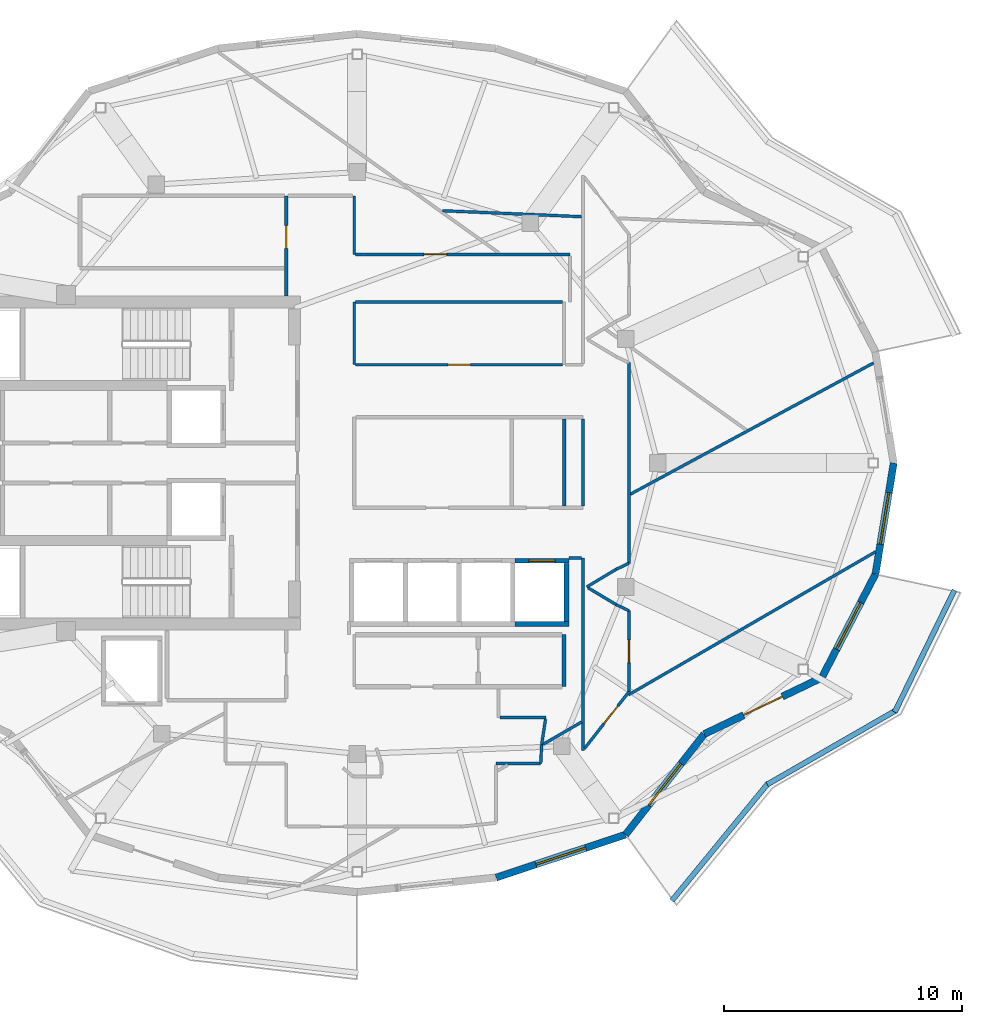
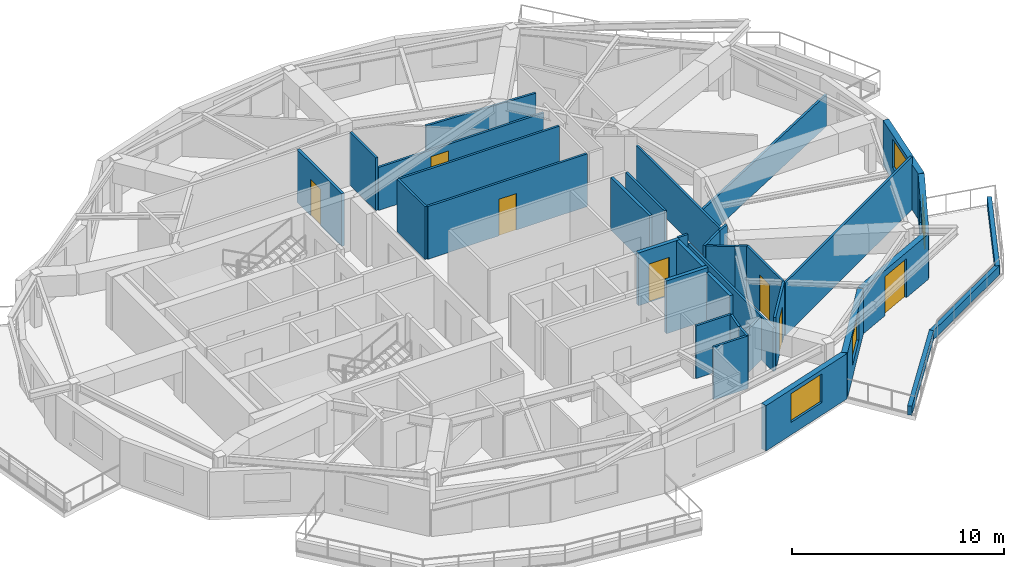
# One storey, part 6 of 11: 37 walls, 7 doors, 4 windows, 11 openings.
"""IFC4 building model written with IfcOpenShell, lengths in metres."""

from ifc_helpers import new_model, si_unit, direction, frame, frame_2d, origin, place, context, subcontext, project, spatial, rectangle, extrude, material, layer, layer_set, type_object, element, fill, save


model = new_model("IFC4")

# Units and contexts
model_context = context("Model", 3, precision=1e-05, world=origin(), true_north=direction((0.0, 1.0)))
body_context = subcontext(model_context, "Body", "Model", "MODEL_VIEW")
ifc_project = project(units=[si_unit("LENGTHUNIT", "METRE"), si_unit("AREAUNIT", "SQUARE_METRE"), si_unit("VOLUMEUNIT", "CUBIC_METRE"), si_unit("PLANEANGLEUNIT", "RADIAN"), si_unit("MASSUNIT", "GRAM", prefix="KILO")], contexts=[model_context])

# Site, building, storey
site_placement = place(None, origin())
site = spatial("IfcSite", under=ifc_project, at=site_placement, CompositionType="ELEMENT")
building_placement = place(site_placement, origin())
building = spatial("IfcBuilding", under=site, at=building_placement, Name="Kolvaren Gate Tower and Convention Centre", CompositionType="ELEMENT")
storey_placement = place(building_placement, frame((0.0, 0.0, 255.800048828125)))
storey = spatial("IfcBuildingStorey", under=building, at=storey_placement, Name="L69", CompositionType="ELEMENT", Elevation=255.800048828125)

# Walls
ifc_material_1 = material(Name="Autoclaved Aerated Masonry Blockwork Class 4 (4.0 MPa)", Category="masonry")
ifc_layer_1 = layer(ifc_material_1, 0.179931640625)
ifc_layer_set_1 = layer_set([ifc_layer_1], Name="Autoclaved Aerated Masonry Blockwork Class 4 (4.0 MPa)")
wall_type_1 = type_object("IfcWallType", Name="ARCH-WL-COMP-180", PredefinedType="SOLIDWALL", material=ifc_layer_set_1)
wall_1_placement = place(storey_placement, frame((38.800048828125, 17.6201171875, 0.0), z_axis=(0.0, 0.0, 1.0), x_axis=(0.0, 1.0, 0.0)))
element("IfcWall", 1, at=wall_1_placement, inside=storey, type_object=wall_type_1, Name="Interior Partition WL-L69-INT-021", PredefinedType="SOLIDWALL", context=body_context, shape_type="SweptSolid", body=[
    extrude(rectangle(XDim=2.179931640625, YDim=0.179931640625, at=frame_2d((1.08984375, 0.0))), origin(), (0.0, 0.0, 1.0), 3.030029296875),
])
ifc_material_2 = material(Name="Fire-Rated Acoustic Gypsum Stud Partition", Category="gypsum")
ifc_layer_2 = layer(ifc_material_2, 0.1201171875)
ifc_layer_set_2 = layer_set([ifc_layer_2], Name="Fire-Rated Acoustic Gypsum Stud Partition")
wall_type_2 = type_object("IfcWallType", Name="ARCH-WL-PART-120", PredefinedType="PARTITIONING", material=ifc_layer_set_2)
wall_2_placement = place(storey_placement, frame((30.0, 31.1201171875, 0.0), z_axis=(0.0, 0.0, 1.0), x_axis=(0.0, 1.0, 0.0)))
element("IfcWall", 2, at=wall_2_placement, inside=storey, type_object=wall_type_2, Name="Interior Partition WL-L69-INT-017", PredefinedType="PARTITIONING", context=body_context, shape_type="SweptSolid", body=[
    extrude(rectangle(XDim=2.6298828125, YDim=0.1201171875, at=frame_2d((1.31494140625, 0.0))), origin(), (0.0, 0.0, 1.0), 3.030029296875),
])
wall_3_placement = place(storey_placement, frame((30.0, 35.75, 0.0), z_axis=(0.0, 0.0, 1.0), x_axis=(0.0, 1.0, 0.0)))
element("IfcWall", 3, at=wall_3_placement, inside=storey, type_object=wall_type_2, Name="Interior Partition WL-L69-INT-018", PredefinedType="PARTITIONING", context=body_context, shape_type="SweptSolid", body=[
    extrude(rectangle(XDim=2.449951171875, YDim=0.1201171875, at=frame_2d((1.22509765625, 0.0))), origin(), (0.0, 0.0, 1.0), 3.030029296875),
])

# Wall, opening, door
wall_4_placement = place(storey_placement, frame((30.06201171875, 31.1201171875, 0.0), z_axis=(0.0, 0.0, 1.0), x_axis=(1.0, 0.0, 0.0)))
wall_4 = element("IfcWall", 4, at=wall_4_placement, inside=storey, type_object=wall_type_2, Name="Interior Partition WL-L69-INT-024", PredefinedType="PARTITIONING", context=body_context, shape_type="SweptSolid", body=[
    extrude(rectangle(XDim=8.676025390625, YDim=0.1201171875, at=frame_2d((4.337890625, 0.0))), origin(), (0.0, 0.0, 1.0), 3.030029296875),
])
opening_1_placement = place(wall_4_placement, frame((3.863037109375, 0.0, 0.0)))
opening_1 = element("IfcOpeningElement", 5, at=opening_1_placement, cuts=wall_4, Name="Opening DR-01", PredefinedType="OPENING", context=body_context, shape_type="SweptSolid", body=[
    extrude(rectangle(XDim=0.949951171875, YDim=2.10009765625, at=frame_2d((0.47509765625, 1.050048828125))), frame((0.0, 0.070068359375, 0.0), z_axis=(0.0, -1.0, 0.0), x_axis=(1.0, 0.0, 0.0)), (0.0, 0.0, 1.0), 0.14013671875),
])
ifc_material_3 = material(Name="Painted Architectural Steelwork ASTM A500 Grade C 345 MPa", Category="steel")
door_type_1 = type_object("IfcDoorType", Name="ARCH-DR-RISER-950", OperationType="SINGLE_SWING_RIGHT", PredefinedType="DOOR", material=ifc_material_3)
door_1_placement = place(opening_1_placement, origin())
door_1 = element("IfcDoor", 6, at=door_1_placement, inside=storey, type_object=door_type_1, Name="Botanical Reading Clubroom Door", OperationType="SINGLE_SWING_LEFT", OverallHeight=2.10009765625, OverallWidth=0.949951171875, PredefinedType="DOOR", context=body_context, shape_type="SweptSolid", body=[
    extrude(rectangle(XDim=0.949951171875, YDim=2.10009765625, at=frame_2d((0.47509765625, 1.050048828125))), frame((0.0, 0.02490234375, 0.0), z_axis=(0.0, -1.0, 0.0), x_axis=(1.0, 0.0, 0.0)), (0.0, 0.0, 1.0), 0.050048828125),
])
fill(opening_1, door_1)

# Wall
wall_5_placement = place(storey_placement, frame((30.06201171875, 33.75, 0.0), z_axis=(0.0, 0.0, 1.0), x_axis=(1.0, 0.0, 0.0)))
element("IfcWall", 7, at=wall_5_placement, inside=storey, type_object=wall_type_2, Name="Interior Partition WL-L69-INT-025", PredefinedType="PARTITIONING", context=body_context, shape_type="SweptSolid", body=[
    extrude(rectangle(XDim=8.676025390625, YDim=0.1201171875, at=frame_2d((4.337890625, 0.0))), origin(), (0.0, 0.0, 1.0), 3.030029296875),
])

# Wall, opening, door
wall_6_placement = place(storey_placement, frame((30.06201171875, 35.75, 0.0), z_axis=(0.0, 0.0, 1.0), x_axis=(1.0, 0.0, 0.0)))
wall_6 = element("IfcWall", 8, at=wall_6_placement, inside=storey, type_object=wall_type_2, Name="Interior Partition WL-L69-INT-032", PredefinedType="PARTITIONING", context=body_context, shape_type="SweptSolid", body=[
    extrude(rectangle(XDim=8.988037109375, YDim=0.1201171875, at=frame_2d((4.494140625, 0.0))), origin(), (0.0, 0.0, 1.0), 2.47802734375),
])
opening_2_placement = place(wall_6_placement, frame((2.860107421875, 0.0, 0.0)))
opening_2 = element("IfcOpeningElement", 9, at=opening_2_placement, cuts=wall_6, Name="Opening DR-01", PredefinedType="OPENING", context=body_context, shape_type="SweptSolid", body=[
    extrude(rectangle(XDim=0.949951171875, YDim=2.10009765625, at=frame_2d((0.47509765625, 1.050048828125))), frame((0.0, 0.070068359375, 0.0), z_axis=(0.0, -1.0, 0.0), x_axis=(1.0, 0.0, 0.0)), (0.0, 0.0, 1.0), 0.14013671875),
])
door_2_placement = place(opening_2_placement, origin())
door_2 = element("IfcDoor", 10, at=door_2_placement, inside=storey, type_object=door_type_1, Name="Resident Private Study and Home Office Door", OperationType="SINGLE_SWING_LEFT", OverallHeight=2.10009765625, OverallWidth=0.949951171875, PredefinedType="DOOR", context=body_context, shape_type="SweptSolid", body=[
    extrude(rectangle(XDim=0.949951171875, YDim=2.10009765625, at=frame_2d((0.47509765625, 1.050048828125))), frame((0.0, 0.02490234375, 0.0), z_axis=(0.0, -1.0, 0.0), x_axis=(1.0, 0.0, 0.0)), (0.0, 0.0, 1.0), 0.050048828125),
])
fill(opening_2, door_2)

# Walls
wall_7_placement = place(storey_placement, frame((39.60009765625, 14.951904296875, 0.0), z_axis=(0.0, 0.0, 1.0), x_axis=(0.0, 1.0, 0.0)))
element("IfcWall", 11, at=wall_7_placement, inside=storey, type_object=wall_type_2, Name="Interior Partition WL-L69-INT-034", PredefinedType="PARTITIONING", context=body_context, shape_type="SweptSolid", body=[
    extrude(rectangle(XDim=8.068115234375, YDim=0.1201171875, at=frame_2d((4.0341796875, 0.0))), origin(), (0.0, 0.0, 1.0), 2.47802734375),
])
wall_8_placement = place(storey_placement, frame((39.60009765625, 25.197021484375, 0.0), z_axis=(0.0, 0.0, 1.0), x_axis=(0.0, 1.0, 0.0)))
element("IfcWall", 12, at=wall_8_placement, inside=storey, type_object=wall_type_2, Name="Interior Partition WL-L69-INT-035", PredefinedType="PARTITIONING", context=body_context, shape_type="SweptSolid", body=[
    extrude(rectangle(XDim=3.64599609375, YDim=0.1201171875, at=frame_2d((1.822998046875, 0.0))), origin(), (0.0, 0.0, 1.0), 3.030029296875),
])

# Wall, opening, door
wall_9_placement = place(storey_placement, frame((41.52001953125, 17.404052734375, 0.0), z_axis=(0.0, 0.0, 1.0), x_axis=(0.0, 1.0, 0.0)))
wall_9 = element("IfcWall", 13, at=wall_9_placement, inside=storey, type_object=wall_type_2, Name="Interior Partition WL-L69-INT-038", PredefinedType="PARTITIONING", context=body_context, shape_type="SweptSolid", body=[
    extrude(rectangle(XDim=3.40283203125, YDim=0.1201171875, at=frame_2d((1.701416015625, 0.0))), origin(), (0.0, 0.0, 1.0), 3.030029296875),
])
opening_3_placement = place(wall_9_placement, frame((1.2265625, 0.0, 0.0)))
opening_3 = element("IfcOpeningElement", 14, at=opening_3_placement, cuts=wall_9, Name="Opening DR-01", PredefinedType="OPENING", context=body_context, shape_type="SweptSolid", body=[
    extrude(rectangle(XDim=0.949951171875, YDim=2.10009765625, at=frame_2d((0.47509765625, 1.050048828125))), frame((0.0, 0.070068359375, 0.0), z_axis=(0.0, -1.0, 0.0), x_axis=(1.0, 0.0, 0.0)), (0.0, 0.0, 1.0), 0.14013671875),
])
door_3_placement = place(opening_3_placement, origin())
door_3 = element("IfcDoor", 15, at=door_3_placement, inside=storey, type_object=door_type_1, Name="Resident Private Study Door", OperationType="SINGLE_SWING_RIGHT", OverallHeight=2.10009765625, OverallWidth=0.949951171875, PredefinedType="DOOR", context=body_context, shape_type="SweptSolid", body=[
    extrude(rectangle(XDim=0.949951171875, YDim=2.10009765625, at=frame_2d((0.47509765625, 1.050048828125))), frame((0.0, 0.02490234375, 0.0), z_axis=(0.0, -1.0, 0.0), x_axis=(1.0, 0.0, 0.0)), (0.0, 0.0, 1.0), 0.050048828125),
])
fill(opening_3, door_3)

# Walls
wall_10_placement = place(storey_placement, frame((41.52001953125, 22.7939453125, 0.0), z_axis=(0.0, 0.0, 1.0), x_axis=(0.0, 1.0, 0.0)))
element("IfcWall", 16, at=wall_10_placement, inside=storey, type_object=wall_type_2, Name="Interior Partition WL-L69-INT-039", PredefinedType="PARTITIONING", context=body_context, shape_type="SweptSolid", body=[
    extrude(rectangle(XDim=8.412109375, YDim=0.1201171875, at=frame_2d((4.2060546875, 0.0))), origin(), (0.0, 0.0, 1.0), 2.47802734375),
])
wall_11_placement = place(storey_placement, frame((40.986083984375, 22.541015625, 0.0), z_axis=(0.0, 0.0, 1.0), x_axis=(0.903729424576, 0.428104107847, 0.0)))
element("IfcWall", 17, at=wall_11_placement, inside=storey, type_object=wall_type_2, Name="Interior Partition WL-L69-INT-045", PredefinedType="PARTITIONING", context=body_context, shape_type="SweptSolid", body=[
    extrude(rectangle(XDim=0.5908203125, YDim=0.1201171875, at=frame_2d((0.29541015625, 0.0))), origin(), (0.0, 0.0, 1.0), 3.030029296875),
])
wall_12_placement = place(storey_placement, frame((39.75, 21.800048828125, 0.0), z_axis=(0.0, 0.0, 1.0), x_axis=(0.857702120906, 0.514146935996, 0.0)))
element("IfcWall", 18, at=wall_12_placement, inside=storey, type_object=wall_type_2, Name="Interior Partition WL-L69-INT-046", PredefinedType="PARTITIONING", context=body_context, shape_type="SweptSolid", body=[
    extrude(rectangle(XDim=1.441162109375, YDim=0.1201171875, at=frame_2d((0.720703125, 0.0))), origin(), (0.0, 0.0, 1.0), 3.030029296875),
])
wall_13_placement = place(storey_placement, frame((39.810302734375, 21.763916015625, 0.0), z_axis=(0.0, 0.0, 1.0), x_axis=(0.858011245414, -0.513630901273, 0.0)))
element("IfcWall", 19, at=wall_13_placement, inside=storey, type_object=wall_type_2, Name="Interior Partition WL-L69-INT-047", PredefinedType="PARTITIONING", context=body_context, shape_type="SweptSolid", body=[
    extrude(rectangle(XDim=1.370361328125, YDim=0.1201171875, at=frame_2d((0.68505859375, 0.0))), origin(), (0.0, 0.0, 1.0), 3.030029296875),
])
wall_14_placement = place(storey_placement, frame((40.986083984375, 21.06005859375, 0.0), z_axis=(0.0, 0.0, 1.0), x_axis=(0.90356951601, -0.428441512621, 0.0)))
element("IfcWall", 20, at=wall_14_placement, inside=storey, type_object=wall_type_2, Name="Interior Partition WL-L69-INT-048", PredefinedType="PARTITIONING", context=body_context, shape_type="SweptSolid", body=[
    extrude(rectangle(XDim=0.5908203125, YDim=0.1201171875, at=frame_2d((0.29541015625, 0.0))), origin(), (0.0, 0.0, 1.0), 3.030029296875),
])

# Wall, opening, door
wall_15_placement = place(storey_placement, frame((39.662109375, 15.03125, 0.0), z_axis=(0.0, 0.0, 1.0), x_axis=(0.616500468458, 0.787354540465, 0.0)))
wall_15 = element("IfcWall", 21, at=wall_15_placement, inside=storey, type_object=wall_type_2, Name="Interior Partition WL-L69-INT-049", PredefinedType="PARTITIONING", context=body_context, shape_type="SweptSolid", body=[
    extrude(rectangle(XDim=3.013671875, YDim=0.1201171875, at=frame_2d((1.5068359375, 0.0))), origin(), (0.0, 0.0, 1.0), 3.030029296875),
])
opening_4_placement = place(wall_15_placement, frame((1.311767578125, 0.0, 0.0)))
opening_4 = element("IfcOpeningElement", 22, at=opening_4_placement, cuts=wall_15, Name="Opening DR-01", PredefinedType="OPENING", context=body_context, shape_type="SweptSolid", body=[
    extrude(rectangle(XDim=0.949951171875, YDim=2.10009765625, at=frame_2d((0.47509765625, 1.050048828125))), frame((0.0, 0.070068359375, 0.0), z_axis=(0.0, -1.0, 0.0), x_axis=(1.0, 0.0, 0.0)), (0.0, 0.0, 1.0), 0.14013671875),
])
door_4_placement = place(opening_4_placement, origin())
door_4 = element("IfcDoor", 23, at=door_4_placement, inside=storey, type_object=door_type_1, Name="Penthouse Strategy Boardroom Door", OperationType="SINGLE_SWING_LEFT", OverallHeight=2.10009765625, OverallWidth=0.949951171875, PredefinedType="DOOR", context=body_context, shape_type="SweptSolid", body=[
    extrude(rectangle(XDim=0.949951171875, YDim=2.10009765625, at=frame_2d((0.47509765625, 1.050048828125))), frame((0.0, 0.02490234375, 0.0), z_axis=(0.0, -1.0, 0.0), x_axis=(1.0, 0.0, 0.0)), (0.0, 0.0, 1.0), 0.050048828125),
])
fill(opening_4, door_4)

# Walls
wall_16_placement = place(storey_placement, frame((39.0, 23.02001953125, 0.0), z_axis=(0.0, 0.0, 1.0), x_axis=(1.0, 0.0, 0.0)))
element("IfcWall", 24, at=wall_16_placement, inside=storey, type_object=wall_type_2, Name="Interior Partition WL-L69-INT-050", PredefinedType="PARTITIONING", context=body_context, shape_type="SweptSolid", body=[
    extrude(rectangle(XDim=0.5380859375, YDim=0.1201171875, at=frame_2d((0.26904296875, 0.0))), origin(), (0.0, 0.0, 1.0), 3.030029296875),
])
wall_17_placement = place(storey_placement, frame((36.112060546875, 16.320068359375, 0.0), z_axis=(0.0, 0.0, 1.0), x_axis=(1.0, 0.0, 0.0)))
element("IfcWall", 25, at=wall_17_placement, inside=storey, type_object=wall_type_2, Name="Interior Partition WL-L69-INT-053", PredefinedType="PARTITIONING", context=body_context, shape_type="SweptSolid", body=[
    extrude(rectangle(XDim=1.9208984375, YDim=0.1201171875, at=frame_2d((0.96044921875, 0.0))), origin(), (0.0, 0.0, 1.0), 3.030029296875),
])
wall_18_placement = place(storey_placement, frame((37.862060546875, 15.200927734375, 0.0), z_axis=(0.0, 0.0, 1.0), x_axis=(0.150907653202, 0.988547864398, 0.0)))
element("IfcWall", 26, at=wall_18_placement, inside=storey, type_object=wall_type_2, Name="Interior Partition WL-L69-INT-054", PredefinedType="PARTITIONING", context=body_context, shape_type="SweptSolid", body=[
    extrude(rectangle(XDim=1.0693359375, YDim=0.1201171875, at=frame_2d((0.53466796875, 0.0))), origin(), (0.0, 0.0, 1.0), 3.030029296875),
])
wall_19_placement = place(storey_placement, frame((37.822998046875, 14.39990234375, 0.0), z_axis=(0.0, 0.0, 1.0), x_axis=(0.04870773904, 0.998813073682, 0.0)))
element("IfcWall", 27, at=wall_19_placement, inside=storey, type_object=wall_type_2, Name="Interior Partition WL-L69-INT-055", PredefinedType="PARTITIONING", context=body_context, shape_type="SweptSolid", body=[
    extrude(rectangle(XDim=0.802001953125, YDim=0.1201171875, at=frame_2d((0.40087890625, 0.0))), origin(), (0.0, 0.0, 1.0), 3.030029296875),
])
wall_20_placement = place(storey_placement, frame((35.949951171875, 14.39990234375, 0.0), z_axis=(0.0, 0.0, 1.0), x_axis=(1.0, 0.0, 0.0)))
element("IfcWall", 28, at=wall_20_placement, inside=storey, type_object=wall_type_2, Name="Interior Partition WL-L69-INT-057", PredefinedType="PARTITIONING", context=body_context, shape_type="SweptSolid", body=[
    extrude(rectangle(XDim=1.873046875, YDim=0.1201171875, at=frame_2d((0.9365234375, 0.0))), origin(), (0.0, 0.0, 1.0), 3.030029296875),
])
wall_21_placement = place(storey_placement, frame((41.58203125, 25.692626953125, 0.0), z_axis=(0.0, 0.0, 1.0), x_axis=(0.880032375067, 0.474913696195, 0.0)))
element("IfcWall", 29, at=wall_21_placement, inside=storey, type_object=wall_type_2, Name="Interior Partition WL-L69-INT-067", PredefinedType="PARTITIONING", context=body_context, shape_type="SweptSolid", body=[
    extrude(rectangle(XDim=11.5888671875, YDim=0.1201171875, at=frame_2d((5.79443359375, 0.0))), origin(), (0.0, 0.0, 1.0), 1.822509765625),
])
wall_22_placement = place(storey_placement, frame((37.92529296875, 15.2041015625, 0.0), z_axis=(0.0, 0.0, 1.0), x_axis=(0.865342568062, 0.501180845505, 0.0)))
element("IfcWall", 30, at=wall_22_placement, inside=storey, type_object=wall_type_2, Name="Interior Partition WL-L69-INT-070", PredefinedType="PARTITIONING", context=body_context, shape_type="SweptSolid", body=[
    extrude(rectangle(XDim=1.86376953125, YDim=0.1201171875, at=frame_2d((0.931884765625, 0.0))), origin(), (0.0, 0.0, 1.0), 2.47802734375),
])
wall_23_placement = place(storey_placement, frame((41.4951171875, 17.271728515625, 0.0), z_axis=(0.0, 0.0, 1.0), x_axis=(0.865359277242, 0.501151994201, 0.0)))
element("IfcWall", 31, at=wall_23_placement, inside=storey, type_object=wall_type_2, Name="Interior Partition WL-L69-INT-071", PredefinedType="PARTITIONING", context=body_context, shape_type="SweptSolid", body=[
    extrude(rectangle(XDim=11.974853515625, YDim=0.1201171875, at=frame_2d((5.9873046875, 0.0))), origin(), (0.0, 0.0, 1.0), 3.030029296875),
])
wall_24_placement = place(storey_placement, frame((33.69921875, 37.5791015625, 0.0), z_axis=(0.0, 0.0, 1.0), x_axis=(0.999081056781, -0.042860727724, 0.0)))
element("IfcWall", 32, at=wall_24_placement, inside=storey, type_object=wall_type_2, Name="Interior Partition WL-L69-INT-074", PredefinedType="PARTITIONING", context=body_context, shape_type="SweptSolid", body=[
    extrude(rectangle(XDim=5.84423828125, YDim=0.1201171875, at=frame_2d((2.922119140625, 0.0))), origin(), (0.0, 0.0, 1.0), 2.47802734375),
])
ifc_material_4 = material(Name="Piedmont Cream Honed Limestone Cladding", Category="masonry")
ifc_layer_3 = layer(ifc_material_4, 0.219970703125)
ifc_layer_set_3 = layer_set([ifc_layer_3], Name="Piedmont Cream Honed Limestone Cladding")
wall_type_3 = type_object("IfcWallType", Name="ARCH-WL-PLANTER-220", PredefinedType="PARAPET", material=ifc_layer_set_3)
wall_25_placement = place(storey_placement, frame((43.322998046875, 8.64599609375, 0.0), z_axis=(0.0, 0.0, 1.0), x_axis=(0.63407318032, 0.77327304492, 0.0)))
element("IfcWall", 33, at=wall_25_placement, inside=storey, type_object=wall_type_3, Name="Vertical-Forest Balcony Stone Planter Kerb PK-L69-4.1", PredefinedType="PARAPET", context=body_context, shape_type="SweptSolid", body=[
    extrude(rectangle(XDim=6.37890625, YDim=0.219970703125, at=frame_2d((3.189453125, 0.0))), origin(), (0.0, 0.0, 1.0), 0.52001953125),
])
wall_26_placement = place(storey_placement, frame((47.3212890625, 13.5205078125, 0.0), z_axis=(0.0, 0.0, 1.0), x_axis=(0.866901621005, 0.49847926687, 0.0)))
element("IfcWall", 34, at=wall_26_placement, inside=storey, type_object=wall_type_3, Name="Vertical-Forest Balcony Stone Planter Kerb PK-L69-4.2", PredefinedType="PARAPET", context=body_context, shape_type="SweptSolid", body=[
    extrude(rectangle(XDim=6.196533203125, YDim=0.219970703125, at=frame_2d((3.09814453125, 0.0))), origin(), (0.0, 0.0, 1.0), 0.52001953125),
])
wall_27_placement = place(storey_placement, frame((52.66748046875, 16.553466796875, 0.0), z_axis=(0.0, 0.0, 1.0), x_axis=(0.440058847499, 0.897968936399, 0.0)))
element("IfcWall", 35, at=wall_27_placement, inside=storey, type_object=wall_type_3, Name="Vertical-Forest Balcony Stone Planter Kerb PK-L69-4.3", PredefinedType="PARAPET", context=body_context, shape_type="SweptSolid", body=[
    extrude(rectangle(XDim=5.689453125, YDim=0.219970703125, at=frame_2d((2.8447265625, 0.0))), origin(), (0.0, 0.0, 1.0), 0.52001953125),
])

# Wall, opening, door
ifc_layer_4 = layer(ifc_material_1, 0.199951171875)
ifc_layer_set_4 = layer_set([ifc_layer_4], Name="Autoclaved Aerated Masonry Blockwork Class 4 (4.0 MPa)")
wall_type_4 = type_object("IfcWallType", Name="ARCH-WL-SHAFT-200", PredefinedType="SOLIDWALL", material=ifc_layer_set_4)
wall_28_placement = place(storey_placement, frame((36.75, 22.89990234375, 0.0), z_axis=(0.0, 0.0, 1.0), x_axis=(1.0, 0.0, 0.0)))
wall_28 = element("IfcWall", 36, at=wall_28_placement, inside=storey, type_object=wall_type_4, Name="Elevator PL-12 L69 Fire Shaft Wall N", PredefinedType="SOLIDWALL", context=body_context, shape_type="SweptSolid", body=[
    extrude(rectangle(XDim=2.25, YDim=0.199951171875, at=frame_2d((1.125, 0.0))), origin(), (0.0, 0.0, 1.0), 3.030029296875),
])
opening_5_placement = place(wall_28_placement, frame((0.574951171875, 0.0, 0.0)))
opening_5 = element("IfcOpeningElement", 37, at=opening_5_placement, cuts=wall_28, Name="Opening LD", PredefinedType="OPENING", context=body_context, shape_type="SweptSolid", body=[
    extrude(rectangle(XDim=1.10009765625, YDim=2.199951171875, at=frame_2d((0.550048828125, 1.10009765625))), frame((0.0, 0.10986328125, 0.0), z_axis=(0.0, -1.0, 0.0), x_axis=(1.0, 0.0, 0.0)), (0.0, 0.0, 1.0), 0.219970703125),
])
ifc_material_5 = material(Name="Brushed Stainless Steel Grade 316L", Category="steel")
door_type_2 = type_object("IfcDoorType", Name="ARCH-DR-LIFT-1100", OperationType="SLIDING_TO_LEFT", PredefinedType="DOOR", material=ifc_material_5)
door_5_placement = place(opening_5_placement, origin())
door_5 = element("IfcDoor", 38, at=door_5_placement, inside=storey, type_object=door_type_2, Name="Elevator PL-12 L69 Sliding Landing Door", OperationType="SLIDING_TO_LEFT", OverallHeight=2.199951171875, OverallWidth=1.10009765625, PredefinedType="DOOR", context=body_context, shape_type="SweptSolid", body=[
    extrude(rectangle(XDim=1.10009765625, YDim=2.199951171875, at=frame_2d((0.550048828125, 1.10009765625))), frame((0.0, 0.02490234375, 0.0), z_axis=(0.0, -1.0, 0.0), x_axis=(1.0, 0.0, 0.0)), (0.0, 0.0, 1.0), 0.050048828125),
])
fill(opening_5, door_5)

# Walls
wall_29_placement = place(storey_placement, frame((36.75, 20.25, 0.0), z_axis=(0.0, 0.0, 1.0), x_axis=(1.0, 0.0, 0.0)))
element("IfcWall", 39, at=wall_29_placement, inside=storey, type_object=wall_type_4, Name="Elevator PL-12 L69 Fire Shaft Wall S", PredefinedType="SOLIDWALL", context=body_context, shape_type="SweptSolid", body=[
    extrude(rectangle(XDim=2.25, YDim=0.199951171875, at=frame_2d((1.125, 0.0))), origin(), (0.0, 0.0, 1.0), 3.030029296875),
])
wall_30_placement = place(storey_placement, frame((38.89990234375, 20.360107421875, 0.0), z_axis=(0.0, 0.0, 1.0), x_axis=(0.0, 1.0, 0.0)))
element("IfcWall", 40, at=wall_30_placement, inside=storey, type_object=wall_type_4, Name="Elevator PL-12 L69 Fire Shaft Wall E", PredefinedType="SOLIDWALL", context=body_context, shape_type="SweptSolid", body=[
    extrude(rectangle(XDim=2.429931640625, YDim=0.199951171875, at=frame_2d((1.21484375, 0.0))), origin(), (0.0, 0.0, 1.0), 3.030029296875),
])

# Wall, opening, window
ifc_layer_5 = layer(ifc_material_4, 0.300048828125)
ifc_layer_set_5 = layer_set([ifc_layer_5], Name="Piedmont Cream Honed Limestone Cladding")
wall_type_5 = type_object("IfcWallType", Name="ARCH-WL-STONE-300", PredefinedType="SOLIDWALL", material=ifc_layer_set_5)
wall_31_placement = place(storey_placement, frame((35.948486328125, 9.61328125, 0.0), z_axis=(0.0, 0.0, 1.0), x_axis=(0.949232769585, 0.314574552605, 0.0)))
wall_31 = element("IfcWall", 41, at=wall_31_placement, inside=storey, type_object=wall_type_5, Name="Tower L69 Honed Stone Spandrel Wall EW-19", PredefinedType="SOLIDWALL", context=body_context, shape_type="SweptSolid", body=[
    extrude(rectangle(XDim=5.716796875, YDim=0.300048828125, at=frame_2d((2.8583984375, 0.0))), origin(), (0.0, 0.0, 1.0), 2.60498046875),
])
opening_6_placement = place(wall_31_placement, frame((1.758056640625, 0.0, 0.719970703125)))
opening_6 = element("IfcOpeningElement", 42, at=opening_6_placement, cuts=wall_31, Name="Opening W-03", PredefinedType="OPENING", context=body_context, shape_type="SweptSolid", body=[
    extrude(rectangle(XDim=2.199951171875, YDim=1.64990234375, at=frame_2d((1.10009765625, 0.824951171875))), frame((0.0, 0.159912109375, 0.0), z_axis=(0.0, -1.0, 0.0), x_axis=(1.0, 0.0, 0.0)), (0.0, 0.0, 1.0), 0.320068359375),
])
ifc_material_6 = material(Name="Low-E Triple Insulated Glazing Unit 44 mm", Category="glass")
window_type = type_object("IfcWindowType", Name="ARCH-WN-RES-2200", PartitioningType="SINGLE_PANEL", PredefinedType="WINDOW", material=ifc_material_6)
window_1_placement = place(opening_6_placement, origin())
window_1 = element("IfcWindow", 43, at=window_1_placement, inside=storey, type_object=window_type, Name="Tower L69 Punched Stone Facade Window W-19", OverallHeight=1.64990234375, OverallWidth=2.199951171875, PartitioningType="SINGLE_PANEL", PredefinedType="WINDOW", context=body_context, shape_type="SweptSolid", body=[
    extrude(rectangle(XDim=2.199951171875, YDim=1.64990234375, at=frame_2d((1.10009765625, 0.824951171875))), frame((0.0, 0.030029296875, 0.0), z_axis=(0.0, -1.0, 0.0), x_axis=(1.0, 0.0, 0.0)), (0.0, 0.0, 1.0), 0.06005859375),
])
fill(opening_6, window_1)

wall_32_placement = place(storey_placement, frame((41.375, 11.41162109375, 0.0), z_axis=(0.0, 0.0, 1.0), x_axis=(0.61644588519, 0.787397276241, 0.0)))
wall_32 = element("IfcWall", 44, at=wall_32_placement, inside=storey, type_object=wall_type_5, Name="Tower L69 Honed Stone Spandrel Wall EW-20", PredefinedType="SOLIDWALL", context=body_context, shape_type="SweptSolid", body=[
    extrude(rectangle(XDim=5.35693359375, YDim=0.300048828125, at=frame_2d((2.678466796875, 0.0))), origin(), (0.0, 0.0, 1.0), 2.60498046875),
])
opening_7_placement = place(wall_32_placement, frame((1.5791015625, 0.0, 0.719970703125)))
opening_7 = element("IfcOpeningElement", 45, at=opening_7_placement, cuts=wall_32, Name="Opening W-03", PredefinedType="OPENING", context=body_context, shape_type="SweptSolid", body=[
    extrude(rectangle(XDim=2.199951171875, YDim=1.64990234375, at=frame_2d((1.10009765625, 0.824951171875))), frame((0.0, 0.159912109375, 0.0), z_axis=(0.0, -1.0, 0.0), x_axis=(1.0, 0.0, 0.0)), (0.0, 0.0, 1.0), 0.320068359375),
])
window_2_placement = place(opening_7_placement, origin())
window_2 = element("IfcWindow", 46, at=window_2_placement, inside=storey, type_object=window_type, Name="Tower L69 Punched Stone Facade Window W-20", OverallHeight=1.64990234375, OverallWidth=2.199951171875, PartitioningType="SINGLE_PANEL", PredefinedType="WINDOW", context=body_context, shape_type="SweptSolid", body=[
    extrude(rectangle(XDim=2.199951171875, YDim=1.64990234375, at=frame_2d((1.10009765625, 0.824951171875))), frame((0.0, 0.030029296875, 0.0), z_axis=(0.0, -1.0, 0.0), x_axis=(1.0, 0.0, 0.0)), (0.0, 0.0, 1.0), 0.06005859375),
])
fill(opening_7, window_2)

# Wall, opening, door
wall_33_placement = place(storey_placement, frame((44.67724609375, 15.629638671875, 0.0), z_axis=(0.0, 0.0, 1.0), x_axis=(0.901355238351, 0.433080517106, 0.0)))
wall_33 = element("IfcWall", 47, at=wall_33_placement, inside=storey, type_object=wall_type_5, Name="Tower L69 Honed Stone Spandrel Wall EW-21", PredefinedType="SOLIDWALL", context=body_context, shape_type="SweptSolid", body=[
    extrude(rectangle(XDim=5.47314453125, YDim=0.300048828125, at=frame_2d((2.736572265625, 0.0))), origin(), (0.0, 0.0, 1.0), 2.60498046875),
])
opening_8_placement = place(wall_33_placement, frame((1.8369140625, 0.0, 0.0)))
opening_8 = element("IfcOpeningElement", 48, at=opening_8_placement, cuts=wall_33, Name="Opening DB-01", PredefinedType="OPENING", context=body_context, shape_type="SweptSolid", body=[
    extrude(rectangle(XDim=1.800048828125, YDim=2.25, at=frame_2d((0.89990234375, 1.125))), frame((0.0, 0.159912109375, 0.0), z_axis=(0.0, -1.0, 0.0), x_axis=(1.0, 0.0, 0.0)), (0.0, 0.0, 1.0), 0.320068359375),
])
ifc_material_7 = material(Name="Anodized Architectural Aluminium Alloy 6063-T6", Category="aluminium")
door_type_3 = type_object("IfcDoorType", Name="ARCH-DR-BALC-1800", OperationType="SLIDING_TO_LEFT", PredefinedType="DOOR", material=ifc_material_7)
door_6_placement = place(opening_8_placement, frame((1.800048828125, 0.0, 0.0), z_axis=(0.0, 0.0, 1.0), x_axis=(-1.0, 0.0, 0.0)))
door_6 = element("IfcDoor", 49, at=door_6_placement, inside=storey, type_object=door_type_3, Name="Planted Sky Terrace Access Door DB-L69-21", OperationType="SLIDING_TO_LEFT", OverallHeight=2.25, OverallWidth=1.800048828125, PredefinedType="DOOR", context=body_context, shape_type="SweptSolid", body=[
    extrude(rectangle(XDim=1.800048828125, YDim=2.25, at=frame_2d((0.89990234375, 1.125))), frame((0.0, 0.02490234375, 0.0), z_axis=(0.0, -1.0, 0.0), x_axis=(1.0, 0.0, 0.0)), (0.0, 0.0, 1.0), 0.050048828125),
])
fill(opening_8, door_6)

# Wall, opening, window
wall_34_placement = place(storey_placement, frame((49.610595703125, 18.0, 0.0), z_axis=(0.0, 0.0, 1.0), x_axis=(0.459793771602, 0.888025724625, 0.0)))
wall_34 = element("IfcWall", 50, at=wall_34_placement, inside=storey, type_object=wall_type_5, Name="Tower L69 Honed Stone Spandrel Wall EW-22", PredefinedType="SOLIDWALL", context=body_context, shape_type="SweptSolid", body=[
    extrude(rectangle(XDim=4.888671875, YDim=0.300048828125, at=frame_2d((2.4443359375, 0.0))), origin(), (0.0, 0.0, 1.0), 2.60498046875),
])
opening_9_placement = place(wall_34_placement, frame((1.343994140625, 0.0, 0.719970703125)))
opening_9 = element("IfcOpeningElement", 51, at=opening_9_placement, cuts=wall_34, Name="Opening W-03", PredefinedType="OPENING", context=body_context, shape_type="SweptSolid", body=[
    extrude(rectangle(XDim=2.199951171875, YDim=1.64990234375, at=frame_2d((1.10009765625, 0.824951171875))), frame((0.0, 0.159912109375, 0.0), z_axis=(0.0, -1.0, 0.0), x_axis=(1.0, 0.0, 0.0)), (0.0, 0.0, 1.0), 0.320068359375),
])
window_3_placement = place(opening_9_placement, origin())
window_3 = element("IfcWindow", 52, at=window_3_placement, inside=storey, type_object=window_type, Name="Tower L69 Punched Stone Facade Window W-22", OverallHeight=1.64990234375, OverallWidth=2.199951171875, PartitioningType="SINGLE_PANEL", PredefinedType="WINDOW", context=body_context, shape_type="SweptSolid", body=[
    extrude(rectangle(XDim=2.199951171875, YDim=1.64990234375, at=frame_2d((1.10009765625, 0.824951171875))), frame((0.0, 0.030029296875, 0.0), z_axis=(0.0, -1.0, 0.0), x_axis=(1.0, 0.0, 0.0)), (0.0, 0.0, 1.0), 0.06005859375),
])
fill(opening_9, window_3)

wall_35_placement = place(storey_placement, frame((51.8583984375, 22.34130859375, 0.0), z_axis=(0.0, 0.0, 1.0), x_axis=(0.162369371657, 0.986730047758, 0.0)))
wall_35 = element("IfcWall", 53, at=wall_35_placement, inside=storey, type_object=wall_type_5, Name="Tower L69 Honed Stone Spandrel Wall EW-23", PredefinedType="SOLIDWALL", context=body_context, shape_type="SweptSolid", body=[
    extrude(rectangle(XDim=4.721435546875, YDim=0.300048828125, at=frame_2d((2.36083984375, 0.0))), origin(), (0.0, 0.0, 1.0), 2.60498046875),
])
opening_10_placement = place(wall_35_placement, frame((1.260986328125, 0.0, 0.719970703125)))
opening_10 = element("IfcOpeningElement", 54, at=opening_10_placement, cuts=wall_35, Name="Opening W-03", PredefinedType="OPENING", context=body_context, shape_type="SweptSolid", body=[
    extrude(rectangle(XDim=2.199951171875, YDim=1.64990234375, at=frame_2d((1.10009765625, 0.824951171875))), frame((0.0, 0.159912109375, 0.0), z_axis=(0.0, -1.0, 0.0), x_axis=(1.0, 0.0, 0.0)), (0.0, 0.0, 1.0), 0.320068359375),
])
window_4_placement = place(opening_10_placement, origin())
window_4 = element("IfcWindow", 55, at=window_4_placement, inside=storey, type_object=window_type, Name="Tower L69 Punched Stone Facade Window W-23", OverallHeight=1.64990234375, OverallWidth=2.199951171875, PartitioningType="SINGLE_PANEL", PredefinedType="WINDOW", context=body_context, shape_type="SweptSolid", body=[
    extrude(rectangle(XDim=2.199951171875, YDim=1.64990234375, at=frame_2d((1.10009765625, 0.824951171875))), frame((0.0, 0.030029296875, 0.0), z_axis=(0.0, -1.0, 0.0), x_axis=(1.0, 0.0, 0.0)), (0.0, 0.0, 1.0), 0.06005859375),
])
fill(opening_10, window_4)

# Wall, opening, door
ifc_material_8 = material(Name="Moisture-Resistant Cement-Board Acoustic Partition", Category="gypsum")
ifc_layer_6 = layer(ifc_material_8, 0.14990234375)
ifc_layer_set_6 = layer_set([ifc_layer_6], Name="Moisture-Resistant Cement-Board Acoustic Partition")
wall_type_6 = type_object("IfcWallType", Name="ARCH-WL-WET-150", PredefinedType="PARTITIONING", material=ifc_layer_set_6)
wall_36_placement = place(storey_placement, frame((27.14990234375, 34.001953125, 0.0), z_axis=(0.0, 0.0, 1.0), x_axis=(0.0, 1.0, 0.0)))
wall_36 = element("IfcWall", 56, at=wall_36_placement, inside=storey, type_object=wall_type_6, Name="Interior Partition WL-L69-INT-013", PredefinedType="PARTITIONING", context=body_context, shape_type="SweptSolid", body=[
    extrude(rectangle(XDim=4.197998046875, YDim=0.14990234375, at=frame_2d((2.09912109375, 0.0))), origin(), (0.0, 0.0, 1.0), 3.030029296875),
])
opening_11_placement = place(wall_36_placement, frame((1.998046875, 0.0, 0.0)))
opening_11 = element("IfcOpeningElement", 57, at=opening_11_placement, cuts=wall_36, Name="Opening DR-01", PredefinedType="OPENING", context=body_context, shape_type="SweptSolid", body=[
    extrude(rectangle(XDim=0.949951171875, YDim=2.10009765625, at=frame_2d((0.47509765625, 1.050048828125))), frame((0.0, 0.0849609375, 0.0), z_axis=(0.0, -1.0, 0.0), x_axis=(1.0, 0.0, 0.0)), (0.0, 0.0, 1.0), 0.169921875),
])
door_7_placement = place(opening_11_placement, origin())
door_7 = element("IfcDoor", 58, at=door_7_placement, inside=storey, type_object=door_type_1, Name="Reclaimed North Resident Store Door", OperationType="SINGLE_SWING_LEFT", OverallHeight=2.10009765625, OverallWidth=0.949951171875, PredefinedType="DOOR", context=body_context, shape_type="SweptSolid", body=[
    extrude(rectangle(XDim=0.949951171875, YDim=2.10009765625, at=frame_2d((0.47509765625, 1.050048828125))), frame((0.0, 0.02490234375, 0.0), z_axis=(0.0, -1.0, 0.0), x_axis=(1.0, 0.0, 0.0)), (0.0, 0.0, 1.0), 0.050048828125),
])
fill(opening_11, door_7)

# Wall
wall_37_placement = place(storey_placement, frame((38.800048828125, 25.197021484375, 0.0), z_axis=(0.0, 0.0, 1.0), x_axis=(0.0, 1.0, 0.0)))
element("IfcWall", 59, at=wall_37_placement, inside=storey, type_object=wall_type_6, Name="Interior Partition WL-L69-INT-022", PredefinedType="PARTITIONING", context=body_context, shape_type="SweptSolid", body=[
    extrude(rectangle(XDim=3.64599609375, YDim=0.14990234375, at=frame_2d((1.822998046875, 0.0))), origin(), (0.0, 0.0, 1.0), 3.030029296875),
])

save(model, "model.ifc")
